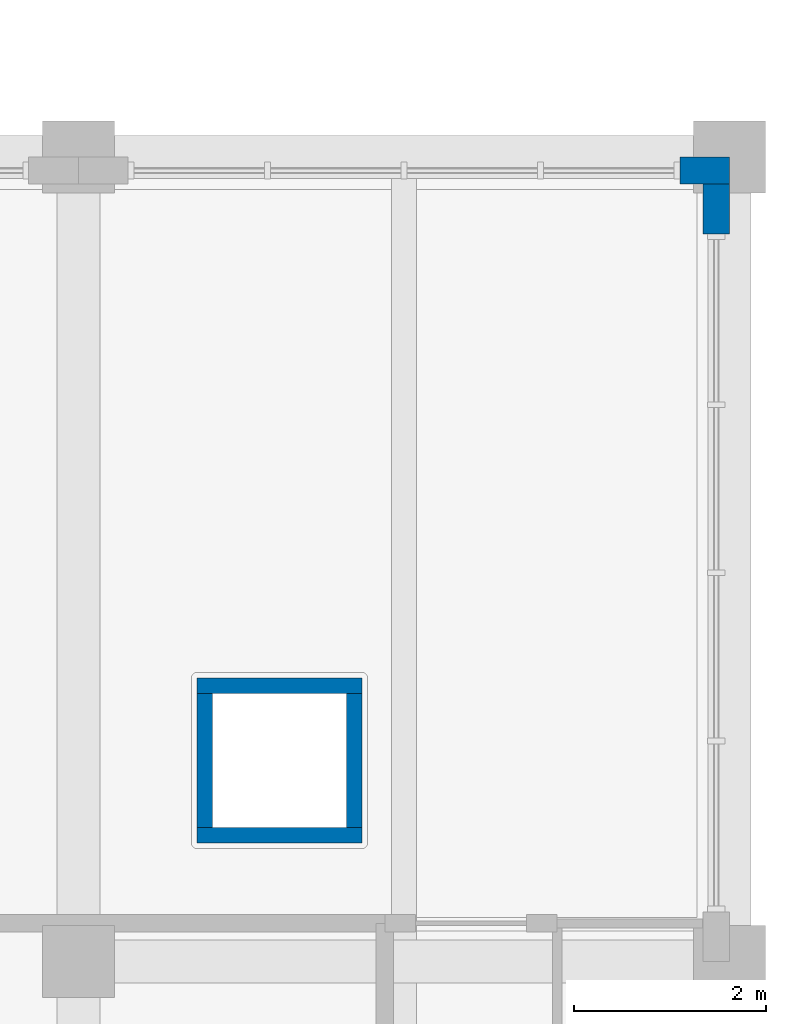
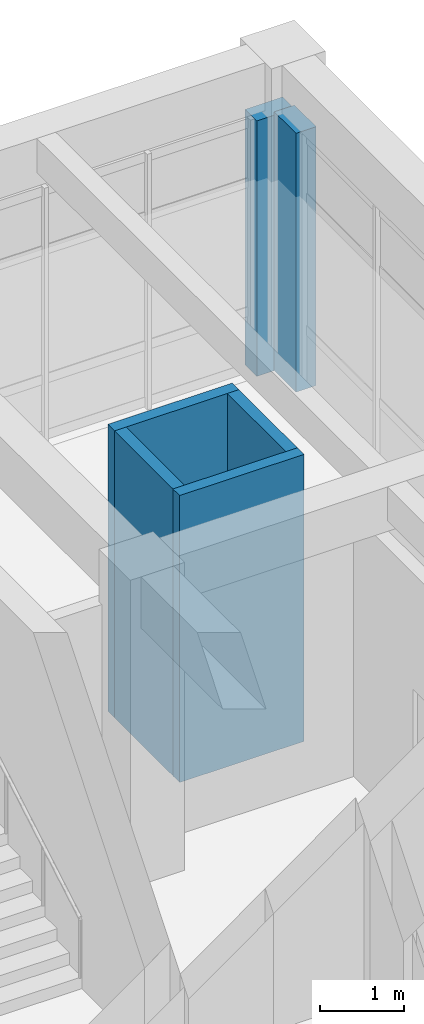
# One storey, part 35 of 50: 6 walls.
"""IFC4 building model written with IfcOpenShell, lengths in metres."""

from ifc_helpers import new_model, si_unit, direction, frame, frame_2d, origin, place, context, subcontext, project, spatial, rectangle, extrude, material, layer, layer_set, type_object, element, save


model = new_model("IFC4")

# Units and contexts
model_context = context("Model", 3, precision=1e-05, world=origin(), true_north=direction((0.0, 1.0)))
body_context = subcontext(model_context, "Body", "Model", "MODEL_VIEW")
ifc_project = project(units=[si_unit("LENGTHUNIT", "METRE"), si_unit("AREAUNIT", "SQUARE_METRE"), si_unit("VOLUMEUNIT", "CUBIC_METRE"), si_unit("PLANEANGLEUNIT", "RADIAN"), si_unit("MASSUNIT", "GRAM", prefix="KILO")], contexts=[model_context])

# Site, building, storey
site_placement = place(None, origin())
site = spatial("IfcSite", under=ifc_project, at=site_placement, CompositionType="ELEMENT")
building_placement = place(site_placement, origin())
building = spatial("IfcBuilding", under=site, at=building_placement, Name="Kolvaren Faculty of Natural Sciences", CompositionType="ELEMENT")
storey_placement = place(building_placement, frame((0.0, 0.0, 15.0)))
storey = spatial("IfcBuildingStorey", under=building, at=storey_placement, Name="L03", CompositionType="ELEMENT", Elevation=15.0)

# Walls
ifc_material_1 = material(Name="Precast concrete C35/45", Category="concrete")
ifc_layer_1 = layer(ifc_material_1, 0.280029296875)
ifc_layer_set_1 = layer_set([ifc_layer_1], Name="Precast concrete C35/45")
wall_type_1 = type_object("IfcWallType", Name="ExteriorPrecastWall_280", PredefinedType="STANDARD", material=ifc_layer_set_1)
wall_1_placement = place(storey_placement, frame((171.47998046875, 84.06005859375, 0.0), z_axis=(0.0, 0.0, 1.0), x_axis=(1.0, 0.0, 0.0)))
element("IfcWall", 1, at=wall_1_placement, inside=storey, type_object=wall_type_1, Name="L03 curtain-wall pier stub 518", PredefinedType="STANDARD", context=body_context, shape_type="SweptSolid", body=[
    extrude(rectangle(XDim=0.52001953125, YDim=0.280029296875, at=frame_2d((0.260009765625, 0.0))), origin(), (0.0, 0.0, 1.0), 3.735107421875),
])
wall_2_placement = place(storey_placement, frame((171.860107421875, 83.919921875, 0.0), z_axis=(0.0, 0.0, 1.0), x_axis=(0.0, -1.0, 0.0)))
element("IfcWall", 2, at=wall_2_placement, inside=storey, type_object=wall_type_1, Name="L03 curtain-wall pier stub 519", PredefinedType="STANDARD", context=body_context, shape_type="SweptSolid", body=[
    extrude(rectangle(XDim=0.52001953125, YDim=0.280029296875, at=frame_2d((0.260009765625, 0.0))), origin(), (0.0, 0.0, 1.0), 3.784912109375),
])
ifc_material_2 = material(Name="Double fire-rated gypsum board on 100 mm steel stud", Category="steel")
ifc_layer_2 = layer(ifc_material_2, 0.159912109375)
ifc_layer_set_2 = layer_set([ifc_layer_2], Name="Double fire-rated gypsum board on 100 mm steel stud")
wall_type_2 = type_object("IfcWallType", Name="RiserShaftWall_160", PredefinedType="PARTITIONING", material=ifc_layer_set_2)
for number, where, z_axis, x_axis, name in (
    (3, (166.43994140625, 77.1201171875, 0.0), (0.0, 0.0, 1.0), (1.0, 0.0, 0.0), "L03 service riser shaft wall S"),
    (4, (166.43994140625, 78.679931640625, 0.0), (0.0, 0.0, 1.0), (1.0, 0.0, 0.0), "L03 service riser shaft wall N"),
):
    element("IfcWall", number, at=place(storey_placement, frame(where, z_axis=z_axis, x_axis=x_axis)), inside=storey, type_object=wall_type_2, Name=name, PredefinedType="PARTITIONING", context=body_context, shape_type="SweptSolid", body=[
        extrude(rectangle(XDim=1.719970703125, YDim=0.159912109375, at=frame_2d((0.85986328125, 0.0))), origin(), (0.0, 0.0, 1.0), 4.195068359375),
    ])
for number, where, z_axis, x_axis, name in (
    (5, (166.52001953125, 77.199951171875, 0.0), (0.0, 0.0, 1.0), (0.0, 1.0, 0.0), "L03 service riser shaft wall W"),
    (6, (168.080078125, 77.199951171875, 0.0), (0.0, 0.0, 1.0), (0.0, 1.0, 0.0), "L03 service riser shaft wall E"),
):
    element("IfcWall", number, at=place(storey_placement, frame(where, z_axis=z_axis, x_axis=x_axis)), inside=storey, type_object=wall_type_2, Name=name, PredefinedType="PARTITIONING", context=body_context, shape_type="SweptSolid", body=[
        extrude(rectangle(XDim=1.400146484375, YDim=0.159912109375, at=frame_2d((0.7001953125, 0.0))), origin(), (0.0, 0.0, 1.0), 4.195068359375),
    ])

save(model, "model.ifc")
